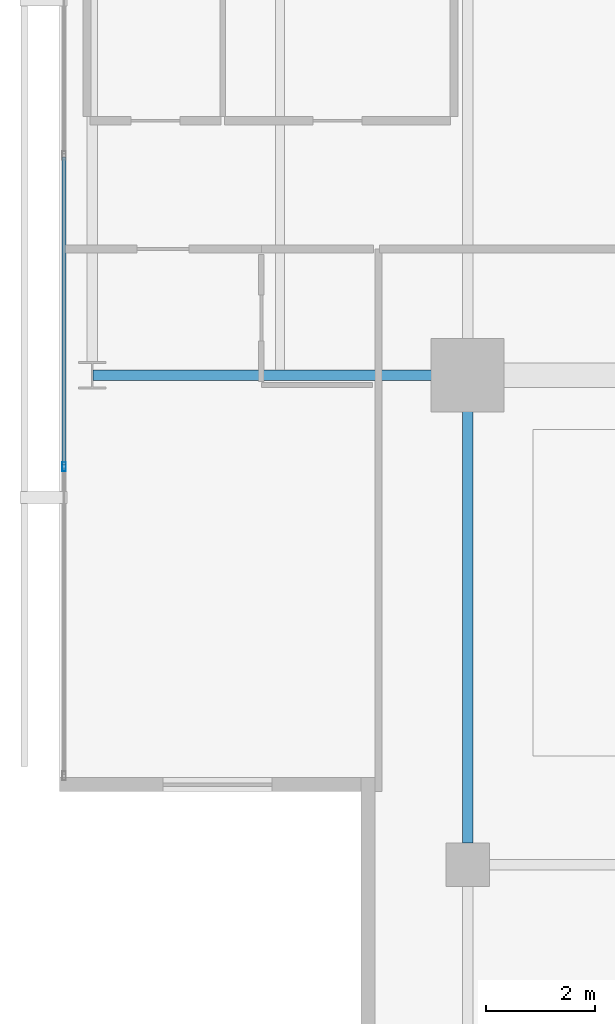
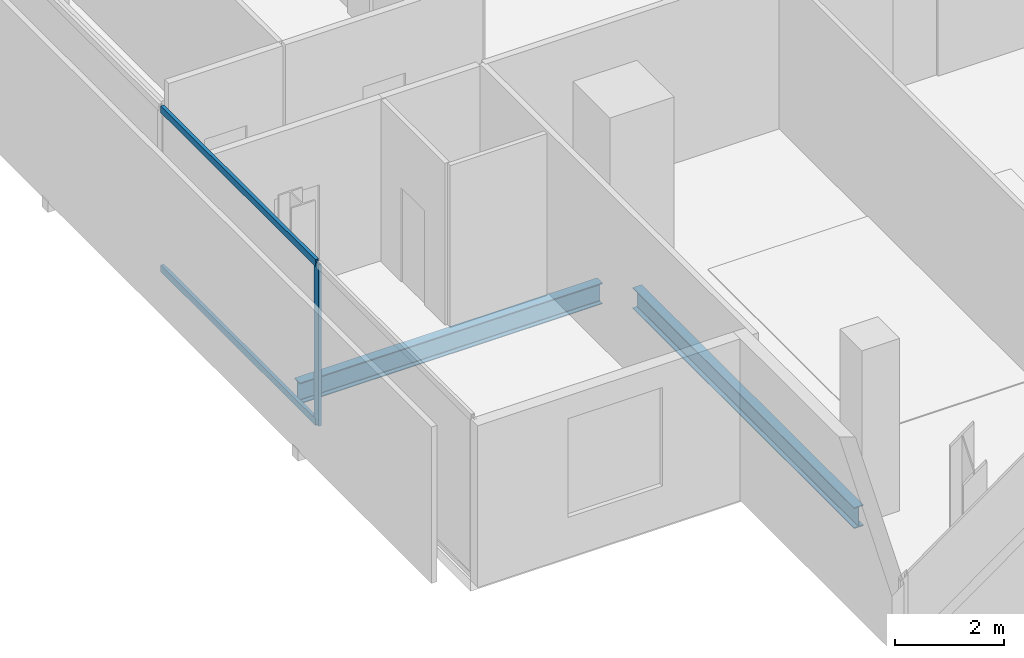
# One storey, part 4 of 23: 3 members, 2 beams, 1 element without a shape of its own.
"""IFC4 building model written with IfcOpenShell, lengths in metres."""

from ifc_helpers import new_model, si_unit, direction, frame, origin, origin_2d, place, context, subcontext, project, spatial, hollow_rectangle, i_section, extrude, material, layer, layer_set, material_profile, profile_set, type_object, element, aggregate, save


model = new_model("IFC4")

# Units and contexts
model_context = context("Model", 3, precision=1e-05, world=origin(), true_north=direction((0.0, 1.0)))
body_context = subcontext(model_context, "Body", "Model", "MODEL_VIEW")
ifc_project = project(units=[si_unit("LENGTHUNIT", "METRE"), si_unit("AREAUNIT", "SQUARE_METRE"), si_unit("VOLUMEUNIT", "CUBIC_METRE"), si_unit("PLANEANGLEUNIT", "RADIAN"), si_unit("MASSUNIT", "GRAM", prefix="KILO")], contexts=[model_context])

# Site, building, storey
site_placement = place(None, origin())
site = spatial("IfcSite", under=ifc_project, at=site_placement, CompositionType="ELEMENT")
building_placement = place(site_placement, origin())
building = spatial("IfcBuilding", under=site, at=building_placement, Name="Maruvema Waterfront Hotel and Observation Tower", CompositionType="ELEMENT")
storey_placement = place(building_placement, frame((0.0, 0.0, 341.25)))
storey = spatial("IfcBuildingStorey", under=building, at=storey_placement, Name="L84", CompositionType="ELEMENT", Elevation=341.25)

# Curtain wall, members
ifc_material_1 = material(Name="Anodised bronze aluminium and solar-control low-E IGU", Category="aluminium")
ifc_layer = layer(ifc_material_1, 0.159912109375, Name="Zone 4 Sky Residence Inner Curtain Wall System CW-05")
ifc_layer_set = layer_set([ifc_layer], Name="Anodised bronze aluminium and solar-control low-E IGU")
curtain_wall_type = type_object("IfcCurtainWallType", Name="Zone 4 Sky Residence Inner Curtain Wall System CW-05", PredefinedType="USERDEFINED", material=ifc_layer_set)
curtain_wall_placement = place(storey_placement, origin())
curtain_wall = element("IfcCurtainWall", 1, at=curtain_wall_placement, inside=storey, type_object=curtain_wall_type, Name="L84 Curtain Wall CW-L84-W", ObjectType="UNITISED CURTAIN WALL", PredefinedType="USERDEFINED")
ifc_material_2 = material(Name="Anodised architectural bronze aluminium", Category="aluminium")
ifc_material_profile_1 = material_profile(ifc_material_2, hollow_rectangle(XDim=0.070068359375, YDim=0.14990234375, WallThickness=0.00390625, at=origin_2d()), Name="ALU-T70x150")
ifc_profile_set_1 = profile_set([ifc_material_profile_1], Name="Anodised architectural bronze aluminium")
member_type_1 = type_object("IfcMemberType", Name="Curtain Wall Horizontal Transom ALU-T70x150", PredefinedType="USERDEFINED", material=ifc_profile_set_1)
member_1_placement = place(storey_placement, frame((17.780029296875, 31.010009765625, 0.030029296875), z_axis=(0.0, -1.0, 0.0), x_axis=(1.0, 0.0, 0.0)))
member_1 = element("IfcMember", 2, at=member_1_placement, type_object=member_type_1, Name="CW-05 transom 4.1", ObjectType="TRANSOM", PredefinedType="USERDEFINED", context=body_context, shape_type="SweptSolid", body=[
    extrude(hollow_rectangle(XDim=0.070068359375, YDim=0.14990234375, WallThickness=0.00390625, at=origin_2d()), origin(), (0.0, 0.0, 1.0), 5.659912109375),
])
member_2_placement = place(storey_placement, frame((17.780029296875, 31.010009765625, 3.580078125), z_axis=(0.0, -1.0, 0.0), x_axis=(1.0, 0.0, 0.0)))
member_2 = element("IfcMember", 3, at=member_2_placement, type_object=member_type_1, Name="CW-05 transom 4.2", ObjectType="TRANSOM", PredefinedType="USERDEFINED", context=body_context, shape_type="SweptSolid", body=[
    extrude(hollow_rectangle(XDim=0.070068359375, YDim=0.14990234375, WallThickness=0.00390625, at=origin_2d()), origin(), (0.0, 0.0, 1.0), 5.659912109375),
])
ifc_material_3 = material(Name="Anodised architectural bronze aluminium", Category="aluminium")
ifc_material_profile_2 = material_profile(ifc_material_3, hollow_rectangle(XDim=0.06494140625, YDim=0.1650390625, WallThickness=0.00390625, at=origin_2d()), Name="ALU-M65x165")
ifc_profile_set_2 = profile_set([ifc_material_profile_2], Name="Anodised architectural bronze aluminium")
member_type_2 = type_object("IfcMemberType", Name="Curtain Wall Primary Mullion ALU-M65x165", PredefinedType="MULLION", material=ifc_profile_set_2)
member_3_placement = place(storey_placement, frame((17.780029296875, 25.320068359375, 0.0), z_axis=(0.0, 0.0, 1.0), x_axis=(1.0, 0.0, 0.0)))
member_3 = element("IfcMember", 4, at=member_3_placement, type_object=member_type_2, Name="CW-05 mullion 5", PredefinedType="MULLION", context=body_context, shape_type="SweptSolid", body=[
    extrude(hollow_rectangle(XDim=0.06494140625, YDim=0.1650390625, WallThickness=0.00390625, at=origin_2d()), origin(), (0.0, 0.0, 1.0), 3.610107421875),
])
aggregate(curtain_wall, [member_3, member_1, member_2])

# Beams
ifc_material_4 = material(Name="Steel ASTM A572 Grade 50", Category="steel")
ifc_material_profile_3 = material_profile(ifc_material_4, i_section(OverallWidth=0.194091796875, OverallDepth=0.468994140625, WebThickness=0.0126953125, FlangeThickness=0.0205078125, FilletRadius=0.014892578125, at=origin_2d()), Name="W460x106.0")
ifc_profile_set_3 = profile_set([ifc_material_profile_3], Name="Steel ASTM A572 Grade 50")
beam_type = type_object("IfcBeamType", Name="Primary Floor Girder W460x106.0", PredefinedType="BEAM", material=ifc_profile_set_3)
beam_1_placement = place(storey_placement, frame((18.31103515625, 27.0, -0.474609375), z_axis=(1.0, 0.0, 0.0), x_axis=(0.0, 1.0, 0.0)))
element("IfcBeam", 5, at=beam_1_placement, inside=storey, type_object=beam_type, Name="L84 Floor Girder EW-07", PredefinedType="BEAM", context=body_context, shape_type="SweptSolid", body=[
    extrude(i_section(OverallWidth=0.194091796875, OverallDepth=0.468994140625, WebThickness=0.0126953125, FlangeThickness=0.0205078125, FilletRadius=0.014892578125, at=origin_2d()), origin(), (0.0, 0.0, 1.0), 6.388916015625),
])
beam_2_placement = place(storey_placement, frame((25.199951171875, 18.39990234375, -0.474609375), z_axis=(0.0, 1.0, 0.0), x_axis=(-1.0, 0.0, 0.0)))
element("IfcBeam", 6, at=beam_2_placement, inside=storey, type_object=beam_type, Name="L84 Floor Girder NS-04", PredefinedType="BEAM", context=body_context, shape_type="SweptSolid", body=[
    extrude(i_section(OverallWidth=0.194091796875, OverallDepth=0.468994140625, WebThickness=0.0126953125, FlangeThickness=0.0205078125, FilletRadius=0.014892578125, at=origin_2d()), origin(), (0.0, 0.0, 1.0), 8.10009765625),
])

save(model, "model.ifc")
